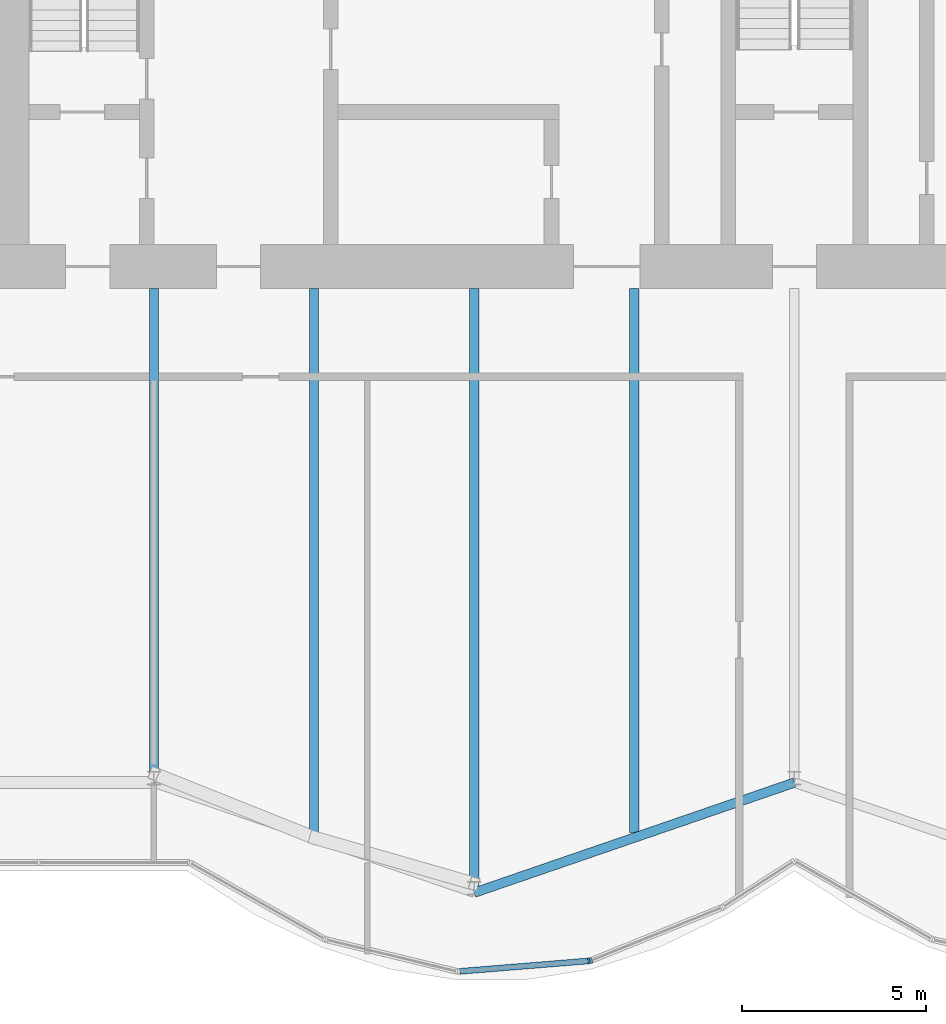
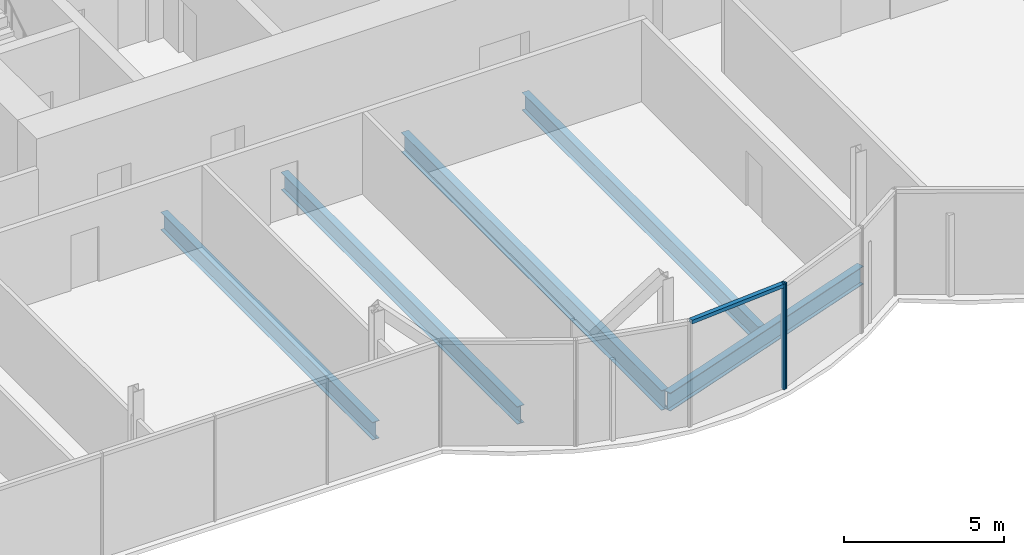
# One storey, part 6 of 19: 5 beams, 3 members, 1 element without a shape of its own.
"""IFC4 building model written with IfcOpenShell, lengths in metres."""

from ifc_helpers import new_model, si_unit, direction, frame, origin, origin_2d, place, context, subcontext, project, spatial, rectangle, i_section, extrude, material, material_profile, profile_set, type_object, element, aggregate, save


model = new_model("IFC4")

# Units and contexts
model_context = context("Model", 3, precision=1e-05, world=origin(), true_north=direction((0.0, 1.0)))
body_context = subcontext(model_context, "Body", "Model", "MODEL_VIEW")
ifc_project = project(units=[si_unit("LENGTHUNIT", "METRE"), si_unit("AREAUNIT", "SQUARE_METRE"), si_unit("VOLUMEUNIT", "CUBIC_METRE"), si_unit("PLANEANGLEUNIT", "RADIAN"), si_unit("MASSUNIT", "GRAM", prefix="KILO")], contexts=[model_context])

# Site, building, storey
site_placement = place(None, origin())
site = spatial("IfcSite", under=ifc_project, at=site_placement, CompositionType="ELEMENT")
building_placement = place(site_placement, origin())
building = spatial("IfcBuilding", under=site, at=building_placement, Name="Bicima Exchange Tower", CompositionType="ELEMENT")
storey_placement = place(building_placement, frame((0.0, 0.0, 266.60009765625)))
storey = spatial("IfcBuildingStorey", under=building, at=storey_placement, Name="L60", CompositionType="ELEMENT", Elevation=266.60009765625)

# Beams
ifc_material_1 = material(Name="Steel ASTM A992 Gr 50", Category="steel")
ifc_material_profile_1 = material_profile(ifc_material_1, i_section(OverallWidth=0.25390625, OverallDepth=0.67822265625, WebThickness=0.01171875, FlangeThickness=0.016357421875, at=origin_2d()))
ifc_profile_set_1 = profile_set([ifc_material_profile_1], Name="Steel ASTM A992 Gr 50")
beam_type_1 = type_object("IfcBeamType", Name="Floor beam W27x84", PredefinedType="JOIST", material=ifc_profile_set_1)
beam_1_placement = place(storey_placement, frame((-17.39990234375, -13.0, -0.4892578125), z_axis=(0.0, -1.0, 0.0), x_axis=(1.0, 0.0, 0.0)))
element("IfcBeam", 1, at=beam_1_placement, inside=storey, type_object=beam_type_1, Name="Floor beam", PredefinedType="JOIST", context=body_context, shape_type="SweptSolid", body=[
    extrude(i_section(OverallWidth=0.25390625, OverallDepth=0.67822265625, WebThickness=0.01171875, FlangeThickness=0.016357421875, at=origin_2d()), origin(), (0.0, 0.0, 1.0), 13.261474609375),
])
for number, where, z_axis, x_axis, name in (
    (2, (-13.050048828125, -13.0, -0.4892578125), (0.0, -1.0, 0.0), (1.0, 0.0, 0.0), "Floor beam"),
    (3, (-4.35009765625, -13.0, -0.4892578125), (0.0, -1.0, 0.0), (1.0, 0.0, 0.0), "Floor beam"),
):
    element("IfcBeam", number, at=place(storey_placement, frame(where, z_axis=z_axis, x_axis=x_axis)), inside=storey, type_object=beam_type_1, Name=name, PredefinedType="JOIST", context=body_context, shape_type="SweptSolid", body=[
        extrude(i_section(OverallWidth=0.25390625, OverallDepth=0.67822265625, WebThickness=0.01171875, FlangeThickness=0.016357421875, at=origin_2d()), origin(), (0.0, 0.0, 1.0), 14.783935546875),
    ])
ifc_material_profile_2 = material_profile(ifc_material_1, i_section(OverallWidth=0.2666015625, OverallDepth=0.75439453125, WebThickness=0.01318359375, FlangeThickness=0.01708984375, at=origin_2d()))
ifc_profile_set_2 = profile_set([ifc_material_profile_2], Name="Steel ASTM A992 Gr 50")
beam_type_2 = type_object("IfcBeamType", Name="Floor beam W30x99", PredefinedType="JOIST", material=ifc_profile_set_2)
beam_2_placement = place(storey_placement, frame((-8.699951171875, -13.0, -0.52734375), z_axis=(0.0, -1.0, 0.0), x_axis=(1.0, 0.0, 0.0)))
element("IfcBeam", 4, at=beam_2_placement, inside=storey, type_object=beam_type_2, Name="Floor beam", PredefinedType="JOIST", context=body_context, shape_type="SweptSolid", body=[
    extrude(i_section(OverallWidth=0.2666015625, OverallDepth=0.75439453125, WebThickness=0.01318359375, FlangeThickness=0.01708984375, at=origin_2d()), origin(), (0.0, 0.0, 1.0), 16.279296875),
])
ifc_material_profile_3 = material_profile(ifc_material_1, i_section(OverallWidth=0.256591796875, OverallDepth=0.693359375, WebThickness=0.014404296875, FlangeThickness=0.023681640625, at=origin_2d()))
ifc_profile_set_3 = profile_set([ifc_material_profile_3], Name="Steel ASTM A992 Gr 50")
beam_type_3 = type_object("IfcBeamType", Name="Front girder W27x114", PredefinedType="BEAM", material=ifc_profile_set_3)
beam_3_placement = place(storey_placement, frame((-8.699951171875, -29.4150390625, -0.496826171875), z_axis=(0.945674616091, 0.32511462668, 0.0), x_axis=(-0.32511462668, 0.945674616091, 0.0)))
element("IfcBeam", 5, at=beam_3_placement, inside=storey, type_object=beam_type_3, Name="Front girder", PredefinedType="BEAM", context=body_context, shape_type="SweptSolid", body=[
    extrude(i_section(OverallWidth=0.256591796875, OverallDepth=0.693359375, WebThickness=0.014404296875, FlangeThickness=0.023681640625, at=origin_2d()), origin(), (0.0, 0.0, 1.0), 9.19970703125),
])

# Curtain wall, members
ifc_material_2 = material(Name="Anodised bronze aluminium", Category="aluminium")
curtain_wall_type = type_object("IfcCurtainWallType", Name="Front glass wall", PredefinedType="NOTDEFINED", material=ifc_material_2)
curtain_wall_placement = place(storey_placement, origin())
curtain_wall = element("IfcCurtainWall", 6, at=curtain_wall_placement, inside=storey, type_object=curtain_wall_type, Name="Front glass wall L60 run 6", PredefinedType="NOTDEFINED")
ifc_material_profile_4 = material_profile(ifc_material_2, rectangle(XDim=0.159912109375, YDim=0.06005859375, at=origin_2d()))
ifc_profile_set_4 = profile_set([ifc_material_profile_4], Name="Anodised bronze aluminium")
member_type_1 = type_object("IfcMemberType", Name="Front glass wall mullion 60 x 160", PredefinedType="MULLION", material=ifc_profile_set_4)
member_1_placement = place(storey_placement, frame((-5.583984375, -31.268798828125, 0.0), z_axis=(0.0, 0.0, 1.0), x_axis=(-0.080588612633, 0.99674744821, 0.0)))
member_1 = element("IfcMember", 7, at=member_1_placement, type_object=member_type_1, Name="Front glass wall mullion 2", PredefinedType="MULLION", context=body_context, shape_type="SweptSolid", body=[
    extrude(rectangle(XDim=0.159912109375, YDim=0.06005859375, at=origin_2d()), origin(), (0.0, 0.0, 1.0), 4.0498046875),
])
member_2_placement = place(storey_placement, frame((-5.526123046875, -31.255126953125, 0.0), z_axis=(0.0, 0.0, 1.0), x_axis=(-0.374705304, 0.92714396679, 0.0)))
member_2 = element("IfcMember", 8, at=member_2_placement, type_object=member_type_1, Name="Front glass wall mullion 1", PredefinedType="MULLION", context=body_context, shape_type="SweptSolid", body=[
    extrude(rectangle(XDim=0.159912109375, YDim=0.06005859375, at=origin_2d()), origin(), (0.0, 0.0, 1.0), 4.0498046875),
])
ifc_material_profile_5 = material_profile(ifc_material_2, rectangle(XDim=0.159912109375, YDim=0.139892578125, at=origin_2d()))
ifc_profile_set_5 = profile_set([ifc_material_profile_5], Name="Anodised bronze aluminium")
member_type_2 = type_object("IfcMemberType", Name="Front glass wall transom 140 x 160", PredefinedType="USERDEFINED", material=ifc_profile_set_5)
member_3_placement = place(storey_placement, frame((-9.08837890625, -31.55224609375, 3.97998046875), z_axis=(0.9967456465, 0.080610893699, 0.0), x_axis=(-0.080610893699, 0.9967456465, 0.0)))
member_3 = element("IfcMember", 9, at=member_3_placement, type_object=member_type_2, Name="Front glass wall transom 1.1", ObjectType="TRANSOM", PredefinedType="USERDEFINED", context=body_context, shape_type="SweptSolid", body=[
    extrude(rectangle(XDim=0.159912109375, YDim=0.139892578125, at=origin_2d()), origin(), (0.0, 0.0, 1.0), 3.48583984375),
])
aggregate(curtain_wall, [member_1, member_3, member_2])

save(model, "model.ifc")
